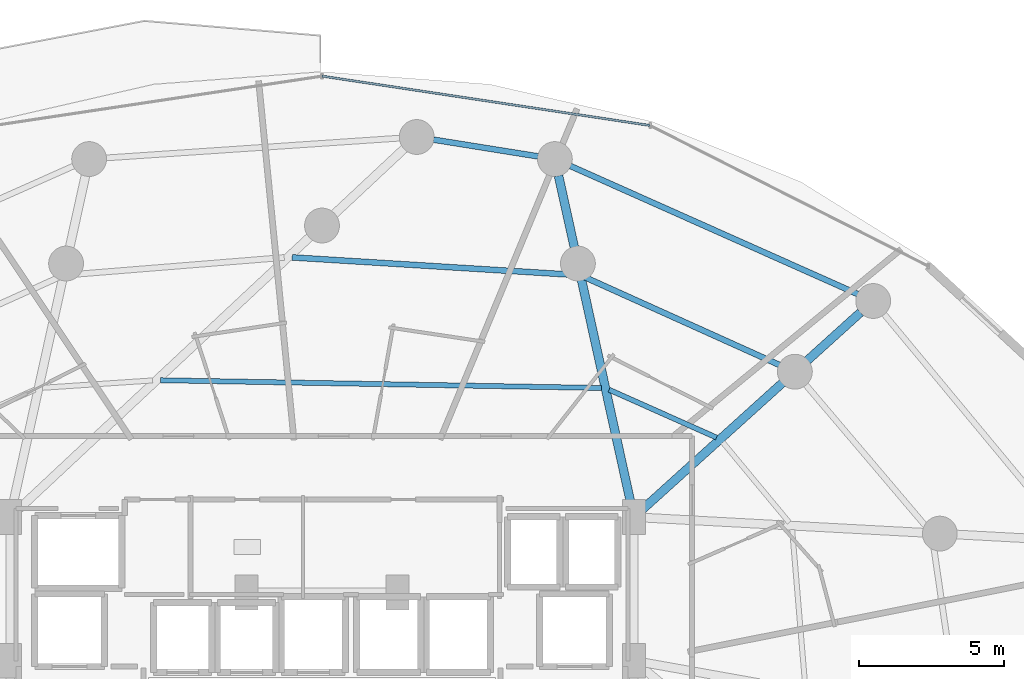
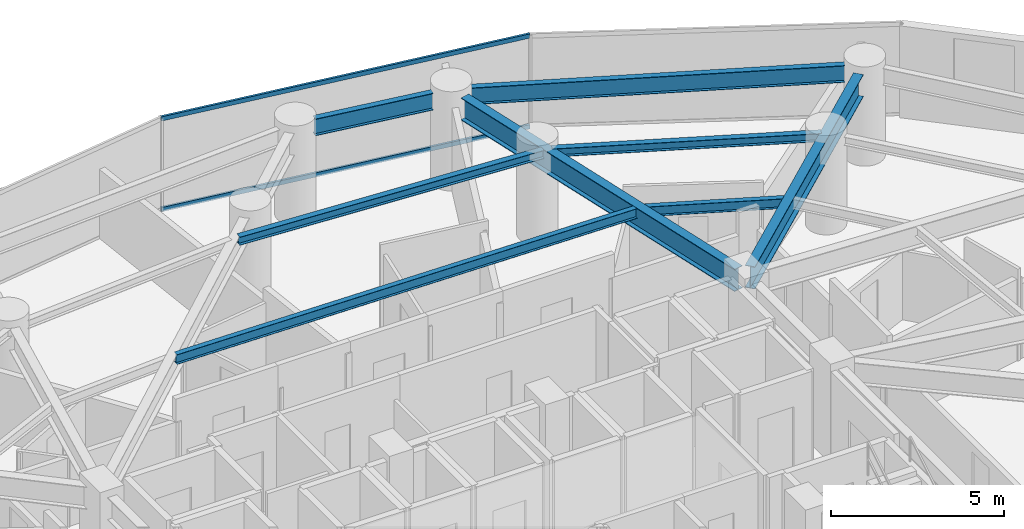
# One storey, part 22 of 34: 8 beams, 2 members, 1 element without a shape of its own.
"""IFC4 building model written with IfcOpenShell, lengths in metres."""

from ifc_helpers import new_model, si_unit, direction, frame, origin, origin_2d, place, context, subcontext, project, spatial, hollow_rectangle, i_section, extrude, material, material_profile, profile_set, type_object, element, aggregate, save


model = new_model("IFC4")

# Units and contexts
model_context = context("Model", 3, precision=1e-05, world=origin(), true_north=direction((0.0, 1.0)))
body_context = subcontext(model_context, "Body", "Model", "MODEL_VIEW")
ifc_project = project(units=[si_unit("LENGTHUNIT", "METRE"), si_unit("AREAUNIT", "SQUARE_METRE"), si_unit("VOLUMEUNIT", "CUBIC_METRE"), si_unit("PLANEANGLEUNIT", "RADIAN"), si_unit("MASSUNIT", "GRAM", prefix="KILO")], contexts=[model_context])

# Site, building, storey
site_placement = place(None, origin())
site = spatial("IfcSite", under=ifc_project, at=site_placement, CompositionType="ELEMENT")
building_placement = place(site_placement, origin())
building = spatial("IfcBuilding", under=site, at=building_placement, Name="Vorneva Point Tower", CompositionType="ELEMENT")
storey_placement = place(building_placement, frame((0.0, 0.0, 62.5)))
storey = spatial("IfcBuildingStorey", under=building, at=storey_placement, Name="L16", CompositionType="ELEMENT", Elevation=62.5)

# Beams
ifc_material_1 = material(Name="Steel S355", Category="steel")
ifc_material_profile_1 = material_profile(ifc_material_1, i_section(OverallWidth=0.300048828125, OverallDepth=0.7880859375, WebThickness=0.014404296875, FlangeThickness=0.02197265625, at=origin_2d()), Name="80Sh1")
ifc_profile_set_1 = profile_set([ifc_material_profile_1], Name="Steel S355")
beam_type_1 = type_object("IfcBeamType", Name="BM-GRD-80Sh1", PredefinedType="USERDEFINED", material=ifc_profile_set_1)
beam_1_placement = place(storey_placement, frame((56.56103515625, 40.205810546875, 2.845947265625), z_axis=(-0.742076105577, -0.670315637243, 0.0), x_axis=(0.670315637243, -0.742076105577, 0.0)))
element("IfcBeam", 1, at=beam_1_placement, inside=storey, type_object=beam_type_1, Name="L16 Radial Primary Girder 03", ObjectType="GIRDER", PredefinedType="USERDEFINED", context=body_context, shape_type="SweptSolid", body=[
    extrude(i_section(OverallWidth=0.300048828125, OverallDepth=0.7880859375, WebThickness=0.014404296875, FlangeThickness=0.02197265625, at=origin_2d()), origin(), (0.0, 0.0, 1.0), 10.18603515625),
])
beam_2_placement = place(storey_placement, frame((46.15283203125, 44.91748046875, 2.845947265625), z_axis=(0.215521919097, -0.976499002759, 0.0), x_axis=(0.976499002759, 0.215521919097, 0.0)))
element("IfcBeam", 2, at=beam_2_placement, inside=storey, type_object=beam_type_1, Name="L16 Radial Primary Girder 04", ObjectType="GIRDER", PredefinedType="USERDEFINED", context=body_context, shape_type="SweptSolid", body=[
    extrude(i_section(OverallWidth=0.300048828125, OverallDepth=0.7880859375, WebThickness=0.014404296875, FlangeThickness=0.02197265625, at=origin_2d()), origin(), (0.0, 0.0, 1.0), 11.710693359375),
])
ifc_material_profile_2 = material_profile(ifc_material_1, i_section(OverallWidth=0.199951171875, OverallDepth=0.291015625, WebThickness=0.008056640625, FlangeThickness=0.010986328125, at=origin_2d()), Name="30Sh1")
ifc_profile_set_2 = profile_set([ifc_material_profile_2], Name="Steel S355")
beam_type_2 = type_object("IfcBeamType", Name="BM-SEC-30Sh1", PredefinedType="BEAM", material=ifc_profile_set_2)
beam_3_placement = place(storey_placement, frame((54.167724609375, 38.214111328125, 3.094482421875), z_axis=(-0.911598910005, 0.41108080383, 0.0), x_axis=(-0.41108080383, -0.911598910005, 0.0)))
element("IfcBeam", 3, at=beam_3_placement, inside=storey, type_object=beam_type_2, Name="L16 Secondary Floor Beam 1.03", PredefinedType="BEAM", context=body_context, shape_type="SweptSolid", body=[
    extrude(i_section(OverallWidth=0.199951171875, OverallDepth=0.291015625, WebThickness=0.008056640625, FlangeThickness=0.010986328125, at=origin_2d()), origin(), (0.0, 0.0, 1.0), 7.823486328125),
])
beam_4_placement = place(storey_placement, frame((46.772216796875, 41.495361328125, 3.094482421875), z_axis=(-0.998090798829, 0.061763721489, 0.0), x_axis=(-0.061763721489, -0.998090798829, 0.0)))
element("IfcBeam", 4, at=beam_4_placement, inside=storey, type_object=beam_type_2, Name="L16 Secondary Floor Beam 1.04", PredefinedType="BEAM", context=body_context, shape_type="SweptSolid", body=[
    extrude(i_section(OverallWidth=0.199951171875, OverallDepth=0.291015625, WebThickness=0.008056640625, FlangeThickness=0.010986328125, at=origin_2d()), origin(), (0.0, 0.0, 1.0), 9.81884765625),
])
ifc_material_profile_3 = material_profile(ifc_material_1, i_section(OverallWidth=0.174072265625, OverallDepth=0.345947265625, WebThickness=0.006103515625, FlangeThickness=0.009033203125, at=origin_2d()), Name="35B1")
ifc_profile_set_3 = profile_set([ifc_material_profile_3], Name="Steel S355")
beam_type_3 = type_object("IfcBeamType", Name="BM-SEC-35B1", PredefinedType="BEAM", material=ifc_profile_set_3)
beam_5_placement = place(storey_placement, frame((51.597412109375, 35.89208984375, 3.06689453125), z_axis=(-0.913393882838, 0.407076915083, 0.0), x_axis=(-0.407076915083, -0.913393882838, 0.0)))
element("IfcBeam", 5, at=beam_5_placement, inside=storey, type_object=beam_type_3, Name="L16 Secondary Floor Beam 2.03", PredefinedType="BEAM", context=body_context, shape_type="SweptSolid", body=[
    extrude(i_section(OverallWidth=0.174072265625, OverallDepth=0.345947265625, WebThickness=0.006103515625, FlangeThickness=0.009033203125, at=origin_2d()), origin(), (0.0, 0.0, 1.0), 4.05419921875),
])
beam_6_placement = place(storey_placement, frame((47.630126953125, 37.601318359375, 3.06689453125), z_axis=(-0.999845498641, 0.017577794168, 0.0), x_axis=(-0.017577794168, -0.999845498641, 0.0)))
element("IfcBeam", 6, at=beam_6_placement, inside=storey, type_object=beam_type_3, Name="L16 Secondary Floor Beam 2.04", PredefinedType="BEAM", context=body_context, shape_type="SweptSolid", body=[
    extrude(i_section(OverallWidth=0.174072265625, OverallDepth=0.345947265625, WebThickness=0.006103515625, FlangeThickness=0.009033203125, at=origin_2d()), origin(), (0.0, 0.0, 1.0), 15.19482421875),
])
ifc_material_profile_4 = material_profile(ifc_material_1, i_section(OverallWidth=0.198974609375, OverallDepth=0.595947265625, WebThickness=0.010009765625, FlangeThickness=0.014892578125, at=origin_2d()), Name="60B1")
ifc_profile_set_4 = profile_set([ifc_material_profile_4], Name="Steel S355")
beam_type_4 = type_object("IfcBeamType", Name="BM-SPN-60B1", PredefinedType="SPANDREL", material=ifc_profile_set_4)
beam_7_placement = place(storey_placement, frame((56.463134765625, 40.837890625, 2.94189453125), z_axis=(-0.913318750016, 0.407245455309, 0.0), x_axis=(-0.407245455309, -0.913318750016, 0.0)))
element("IfcBeam", 7, at=beam_7_placement, inside=storey, type_object=beam_type_4, Name="L16 Perimeter Spandrel Ring Beam 03", PredefinedType="SPANDREL", context=body_context, shape_type="SweptSolid", body=[
    extrude(i_section(OverallWidth=0.198974609375, OverallDepth=0.595947265625, WebThickness=0.010009765625, FlangeThickness=0.014892578125, at=origin_2d()), origin(), (0.0, 0.0, 1.0), 10.842529296875),
])
beam_8_placement = place(storey_placement, frame((45.448486328125, 45.583984375, 2.94189453125), z_axis=(-0.987472321528, 0.157792313549, 0.0), x_axis=(-0.157792313549, -0.987472321528, 0.0)))
element("IfcBeam", 8, at=beam_8_placement, inside=storey, type_object=beam_type_4, Name="L16 Perimeter Spandrel Ring Beam 04", PredefinedType="SPANDREL", context=body_context, shape_type="SweptSolid", body=[
    extrude(i_section(OverallWidth=0.198974609375, OverallDepth=0.595947265625, WebThickness=0.010009765625, FlangeThickness=0.014892578125, at=origin_2d()), origin(), (0.0, 0.0, 1.0), 3.6513671875),
])

# Curtain wall, members
ifc_material_2 = material(Name="Pale anodised aluminium", Category="aluminium")
curtain_wall_type = type_object("IfcCurtainWallType", Name="CW-HTL-SYS", PredefinedType="NOTDEFINED", material=ifc_material_2)
curtain_wall_placement = place(storey_placement, origin())
curtain_wall = element("IfcCurtainWall", 9, at=curtain_wall_placement, inside=storey, type_object=curtain_wall_type, Name="L16 Unitised Curtain Wall CW-L16-R02", PredefinedType="NOTDEFINED")
ifc_material_profile_5 = material_profile(ifc_material_2, hollow_rectangle(XDim=0.074951171875, YDim=0.14990234375, WallThickness=0.00390625, at=origin_2d()), Name="AL-TRN 150x75x4")
ifc_profile_set_5 = profile_set([ifc_material_profile_5], Name="Pale anodised aluminium")
member_type = type_object("IfcMemberType", Name="CW-TRN-150", PredefinedType="USERDEFINED", material=ifc_profile_set_5)
member_1_placement = place(storey_placement, frame((49.308349609375, 46.648681640625, 0.02001953125), z_axis=(-0.988870014575, 0.148782036131, 0.0), x_axis=(-0.148782036131, -0.988870014575, 0.0)))
member_1 = element("IfcMember", 10, at=member_1_placement, type_object=member_type, Name="CW-L16-R02 Transom 02.1", ObjectType="TRANSOM", PredefinedType="USERDEFINED", context=body_context, shape_type="SweptSolid", body=[
    extrude(hollow_rectangle(XDim=0.074951171875, YDim=0.14990234375, WallThickness=0.00390625, at=origin_2d()), origin(), (0.0, 0.0, 1.0), 11.435546875),
])
member_2_placement = place(storey_placement, frame((49.308349609375, 46.648681640625, 3.219970703125), z_axis=(-0.988870014575, 0.148782036131, 0.0), x_axis=(-0.148782036131, -0.988870014575, 0.0)))
member_2 = element("IfcMember", 11, at=member_2_placement, type_object=member_type, Name="CW-L16-R02 Transom 02.2", ObjectType="TRANSOM", PredefinedType="USERDEFINED", context=body_context, shape_type="SweptSolid", body=[
    extrude(hollow_rectangle(XDim=0.074951171875, YDim=0.14990234375, WallThickness=0.00390625, at=origin_2d()), origin(), (0.0, 0.0, 1.0), 11.435546875),
])
aggregate(curtain_wall, [member_1, member_2])

save(model, "model.ifc")
